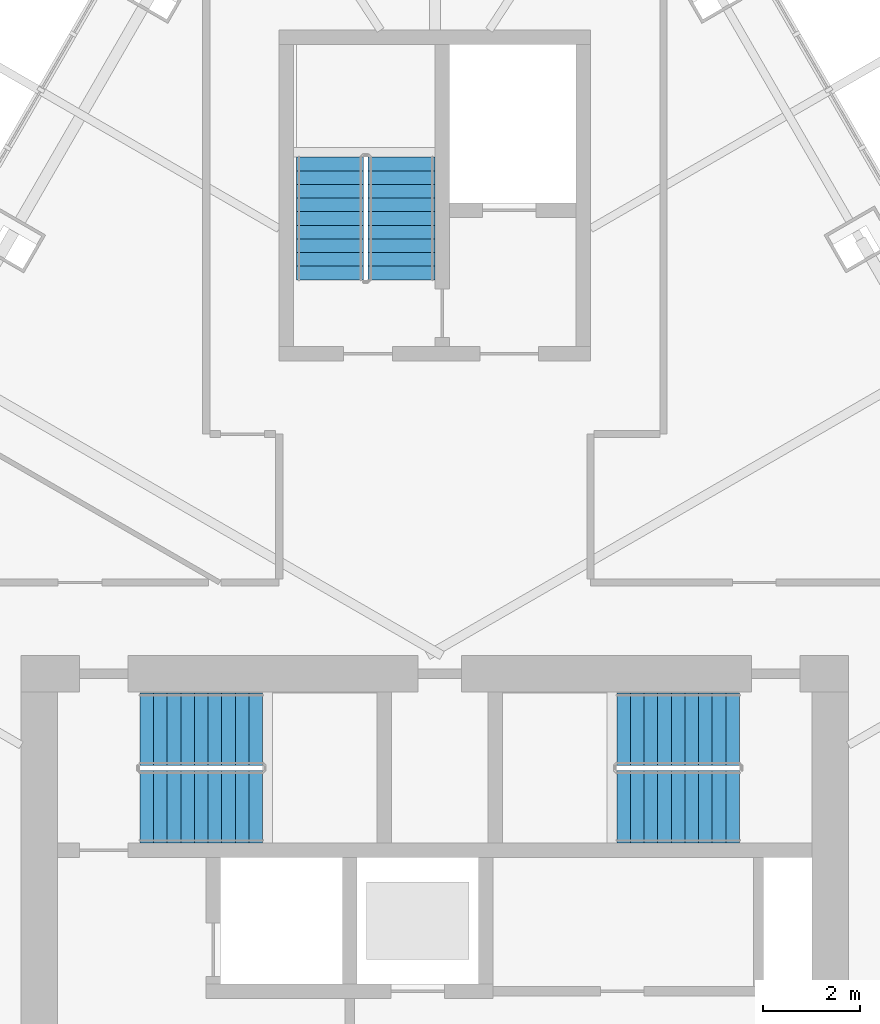
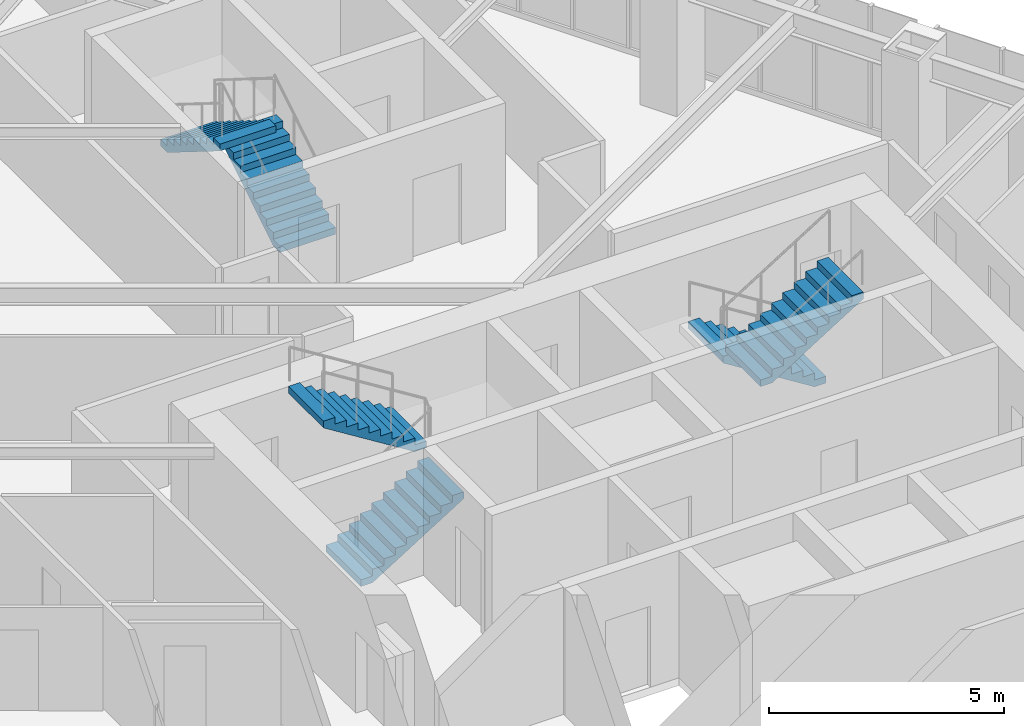
# One storey, part 17 of 19: 6 stair flights, 3 elements without a shape of their own.
"""IFC4 building model written with IfcOpenShell, lengths in metres."""

from ifc_helpers import new_model, si_unit, direction, frame, origin, place, context, subcontext, project, spatial, polyline, outline, extrude, material, type_object, element, aggregate, save


model = new_model("IFC4")

# Units and contexts
model_context = context("Model", 3, precision=1e-05, world=origin(), true_north=direction((0.0, 1.0)))
body_context = subcontext(model_context, "Body", "Model", "MODEL_VIEW")
ifc_project = project(units=[si_unit("LENGTHUNIT", "METRE"), si_unit("AREAUNIT", "SQUARE_METRE"), si_unit("VOLUMEUNIT", "CUBIC_METRE"), si_unit("PLANEANGLEUNIT", "RADIAN"), si_unit("MASSUNIT", "GRAM", prefix="KILO")], contexts=[model_context])

# Site, building, storey
site_placement = place(None, origin())
site = spatial("IfcSite", under=ifc_project, at=site_placement, CompositionType="ELEMENT")
building_placement = place(site_placement, origin())
building = spatial("IfcBuilding", under=site, at=building_placement, Name="Firuza Gate Tower and Library", CompositionType="ELEMENT")
storey_placement = place(building_placement, frame((0.0, 0.0, 316.10009765625)))
storey = spatial("IfcBuildingStorey", under=building, at=storey_placement, Name="L77", CompositionType="ELEMENT", Elevation=316.10009765625)

# Stair, stair flights
ifc_material_1 = material(Name="Concrete C35/45", Category="concrete")
stair_type_1 = type_object("IfcStairType", Name="Exit stair ST17", PredefinedType="HALF_TURN_STAIR", material=ifc_material_1)
placement = place(storey_placement, origin())
stair_1 = element("IfcStair", 1, at=placement, inside=storey, type_object=stair_type_1, Name="L77 Stair ST3", PredefinedType="HALF_TURN_STAIR")
ifc_material_2 = material(Name="Concrete C35/45", Category="concrete")
stair_flight_type_1 = type_object("IfcStairFlightType", Name="Stair flight 10 risers 175 width 1370", PredefinedType="STRAIGHT", material=ifc_material_2)
stair_flight_1_placement = place(storey_placement, frame((74.31494140625, 89.469970703125, 0.0), z_axis=(0.0, 0.0, 1.0), x_axis=(0.0, 1.0, 0.0)))
stair_flight_1 = element("IfcStairFlight", 2, at=stair_flight_1_placement, type_object=stair_flight_type_1, Name="ST3 flight 1", NumberOfRisers=10, NumberOfTreads=9, PredefinedType="STRAIGHT", RiserHeight=0.175, TreadLength=0.28, context=body_context, shape_type="SweptSolid", body=[
    extrude(outline(polyline([(0.0, 0.0), (0.0, 0.175048828125), (0.280029296875, 0.175048828125), (0.280029296875, 0.35009765625), (0.56005859375, 0.35009765625), (0.56005859375, 0.52490234375), (0.840087890625, 0.52490234375), (0.840087890625, 0.699951171875), (1.1201171875, 0.699951171875), (1.1201171875, 0.875), (1.39990234375, 0.875), (1.39990234375, 1.050048828125), (1.679931640625, 1.050048828125), (1.679931640625, 1.22509765625), (1.9599609375, 1.22509765625), (1.9599609375, 1.39990234375), (2.239990234375, 1.39990234375), (2.239990234375, 1.574951171875), (2.52001953125, 1.574951171875), (2.52001953125, 1.75), (2.52001953125, 1.398193359375), (0.28271484375, 0.0), (0.0, 0.0)])), frame((0.0, 0.68505859375, 0.0), z_axis=(0.0, -1.0, 0.0), x_axis=(1.0, 0.0, 0.0)), (0.0, 0.0, 1.0), 1.3701171875),
])
stair_flight_2_placement = place(storey_placement, frame((72.844970703125, 91.989990234375, 1.75), z_axis=(0.0, 0.0, 1.0), x_axis=(0.0, -1.0, 0.0)))
stair_flight_2 = element("IfcStairFlight", 3, at=stair_flight_2_placement, type_object=stair_flight_type_1, Name="ST3 flight 2", NumberOfRisers=10, NumberOfTreads=9, PredefinedType="STRAIGHT", RiserHeight=0.175, TreadLength=0.28, context=body_context, shape_type="SweptSolid", body=[
    extrude(outline(polyline([(0.0, 0.0), (0.0, 0.175048828125), (0.280029296875, 0.175048828125), (0.280029296875, 0.35009765625), (0.56005859375, 0.35009765625), (0.56005859375, 0.52490234375), (0.840087890625, 0.52490234375), (0.840087890625, 0.699951171875), (1.1201171875, 0.699951171875), (1.1201171875, 0.875), (1.39990234375, 0.875), (1.39990234375, 1.050048828125), (1.679931640625, 1.050048828125), (1.679931640625, 1.22509765625), (1.9599609375, 1.22509765625), (1.9599609375, 1.39990234375), (2.239990234375, 1.39990234375), (2.239990234375, 1.574951171875), (2.52001953125, 1.574951171875), (2.52001953125, 1.75), (2.52001953125, 1.398193359375), (0.28271484375, 0.0), (0.0, 0.0)])), frame((0.0, 0.68505859375, 0.0), z_axis=(0.0, -1.0, 0.0), x_axis=(1.0, 0.0, 0.0)), (0.0, 0.0, 1.0), 1.3701171875),
])
aggregate(stair_1, [stair_flight_1, stair_flight_2])

ifc_material_3 = material(Name="Concrete C35/45", Category="concrete")
stair_type_2 = type_object("IfcStairType", Name="Exit stair ST8", PredefinedType="HALF_TURN_STAIR", material=ifc_material_3)
stair_2 = element("IfcStair", 4, at=placement, inside=storey, type_object=stair_type_2, Name="L77 Stair ST1", PredefinedType="HALF_TURN_STAIR")
ifc_material_4 = material(Name="Concrete C35/45", Category="concrete")
stair_flight_type_2 = type_object("IfcStairFlightType", Name="Stair flight 10 risers 175 width 1490", PredefinedType="STRAIGHT", material=ifc_material_4)
stair_flight_3_placement = place(storey_placement, frame((68.93994140625, 78.64501953125, 0.0), z_axis=(0.0, 0.0, 1.0), x_axis=(1.0, 0.0, 0.0)))
stair_flight_3 = element("IfcStairFlight", 5, at=stair_flight_3_placement, type_object=stair_flight_type_2, Name="ST1 flight 1", NumberOfRisers=10, NumberOfTreads=9, PredefinedType="STRAIGHT", RiserHeight=0.175, TreadLength=0.28, context=body_context, shape_type="SweptSolid", body=[
    extrude(outline(polyline([(0.0, 0.0), (0.0, 0.175048828125), (0.280029296875, 0.175048828125), (0.280029296875, 0.35009765625), (0.56005859375, 0.35009765625), (0.56005859375, 0.52490234375), (0.840087890625, 0.52490234375), (0.840087890625, 0.699951171875), (1.1201171875, 0.699951171875), (1.1201171875, 0.875), (1.39990234375, 0.875), (1.39990234375, 1.050048828125), (1.679931640625, 1.050048828125), (1.679931640625, 1.22509765625), (1.9599609375, 1.22509765625), (1.9599609375, 1.39990234375), (2.239990234375, 1.39990234375), (2.239990234375, 1.574951171875), (2.52001953125, 1.574951171875), (2.52001953125, 1.75), (2.52001953125, 1.398193359375), (0.28271484375, 0.0), (0.0, 0.0)])), frame((0.0, 0.7451171875, 0.0), z_axis=(0.0, -1.0, 0.0), x_axis=(1.0, 0.0, 0.0)), (0.0, 0.0, 1.0), 1.489990234375),
])
stair_flight_4_placement = place(storey_placement, frame((71.4599609375, 80.235107421875, 1.75), z_axis=(0.0, 0.0, 1.0), x_axis=(-1.0, 0.0, 0.0)))
stair_flight_4 = element("IfcStairFlight", 6, at=stair_flight_4_placement, type_object=stair_flight_type_2, Name="ST1 flight 2", NumberOfRisers=10, NumberOfTreads=9, PredefinedType="STRAIGHT", RiserHeight=0.175, TreadLength=0.28, context=body_context, shape_type="SweptSolid", body=[
    extrude(outline(polyline([(0.0, 0.0), (0.0, 0.175048828125), (0.280029296875, 0.175048828125), (0.280029296875, 0.35009765625), (0.56005859375, 0.35009765625), (0.56005859375, 0.52490234375), (0.840087890625, 0.52490234375), (0.840087890625, 0.699951171875), (1.1201171875, 0.699951171875), (1.1201171875, 0.875), (1.39990234375, 0.875), (1.39990234375, 1.050048828125), (1.679931640625, 1.050048828125), (1.679931640625, 1.22509765625), (1.9599609375, 1.22509765625), (1.9599609375, 1.39990234375), (2.239990234375, 1.39990234375), (2.239990234375, 1.574951171875), (2.52001953125, 1.574951171875), (2.52001953125, 1.75), (2.52001953125, 1.398193359375), (0.28271484375, 0.0), (0.0, 0.0)])), frame((0.0, 0.7451171875, 0.0), z_axis=(0.0, -1.0, 0.0), x_axis=(1.0, 0.0, 0.0)), (0.0, 0.0, 1.0), 1.489990234375),
])
aggregate(stair_2, [stair_flight_3, stair_flight_4])

stair_3 = element("IfcStair", 7, at=placement, inside=storey, type_object=stair_type_2, Name="L77 Stair ST2", PredefinedType="HALF_TURN_STAIR")
stair_flight_5_placement = place(storey_placement, frame((81.260009765625, 80.235107421875, 0.0), z_axis=(0.0, 0.0, 1.0), x_axis=(-1.0, 0.0, 0.0)))
stair_flight_5 = element("IfcStairFlight", 8, at=stair_flight_5_placement, type_object=stair_flight_type_2, Name="ST2 flight 1", NumberOfRisers=10, NumberOfTreads=9, PredefinedType="STRAIGHT", RiserHeight=0.175, TreadLength=0.28, context=body_context, shape_type="SweptSolid", body=[
    extrude(outline(polyline([(0.0, 0.0), (0.0, 0.175048828125), (0.280029296875, 0.175048828125), (0.280029296875, 0.35009765625), (0.56005859375, 0.35009765625), (0.56005859375, 0.52490234375), (0.840087890625, 0.52490234375), (0.840087890625, 0.699951171875), (1.1201171875, 0.699951171875), (1.1201171875, 0.875), (1.39990234375, 0.875), (1.39990234375, 1.050048828125), (1.679931640625, 1.050048828125), (1.679931640625, 1.22509765625), (1.9599609375, 1.22509765625), (1.9599609375, 1.39990234375), (2.239990234375, 1.39990234375), (2.239990234375, 1.574951171875), (2.52001953125, 1.574951171875), (2.52001953125, 1.75), (2.52001953125, 1.398193359375), (0.28271484375, 0.0), (0.0, 0.0)])), frame((0.0, 0.7451171875, 0.0), z_axis=(0.0, -1.0, 0.0), x_axis=(1.0, 0.0, 0.0)), (0.0, 0.0, 1.0), 1.489990234375),
])
stair_flight_6_placement = place(storey_placement, frame((78.739990234375, 78.64501953125, 1.75), z_axis=(0.0, 0.0, 1.0), x_axis=(1.0, 0.0, 0.0)))
stair_flight_6 = element("IfcStairFlight", 9, at=stair_flight_6_placement, type_object=stair_flight_type_2, Name="ST2 flight 2", NumberOfRisers=10, NumberOfTreads=9, PredefinedType="STRAIGHT", RiserHeight=0.175, TreadLength=0.28, context=body_context, shape_type="SweptSolid", body=[
    extrude(outline(polyline([(0.0, 0.0), (0.0, 0.175048828125), (0.280029296875, 0.175048828125), (0.280029296875, 0.35009765625), (0.56005859375, 0.35009765625), (0.56005859375, 0.52490234375), (0.840087890625, 0.52490234375), (0.840087890625, 0.699951171875), (1.1201171875, 0.699951171875), (1.1201171875, 0.875), (1.39990234375, 0.875), (1.39990234375, 1.050048828125), (1.679931640625, 1.050048828125), (1.679931640625, 1.22509765625), (1.9599609375, 1.22509765625), (1.9599609375, 1.39990234375), (2.239990234375, 1.39990234375), (2.239990234375, 1.574951171875), (2.52001953125, 1.574951171875), (2.52001953125, 1.75), (2.52001953125, 1.398193359375), (0.28271484375, 0.0), (0.0, 0.0)])), frame((0.0, 0.7451171875, 0.0), z_axis=(0.0, -1.0, 0.0), x_axis=(1.0, 0.0, 0.0)), (0.0, 0.0, 1.0), 1.489990234375),
])
aggregate(stair_3, [stair_flight_5, stair_flight_6])

save(model, "model.ifc")
